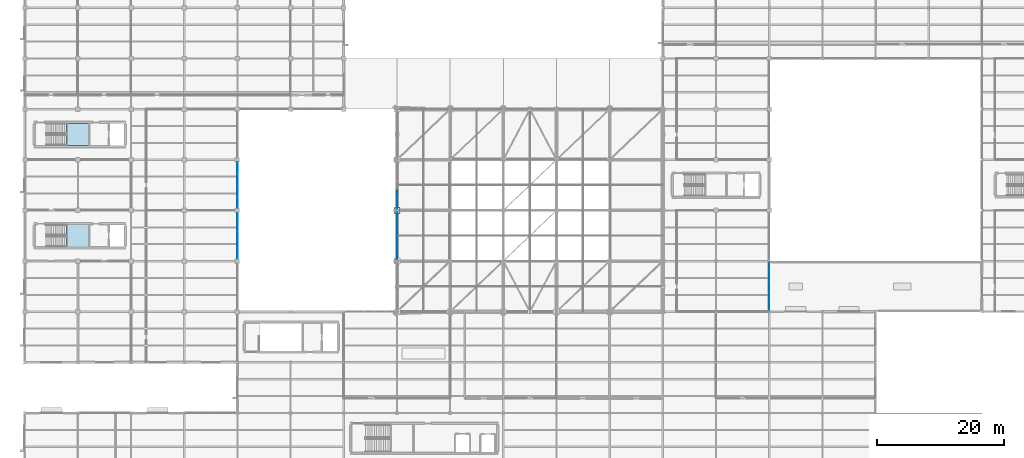
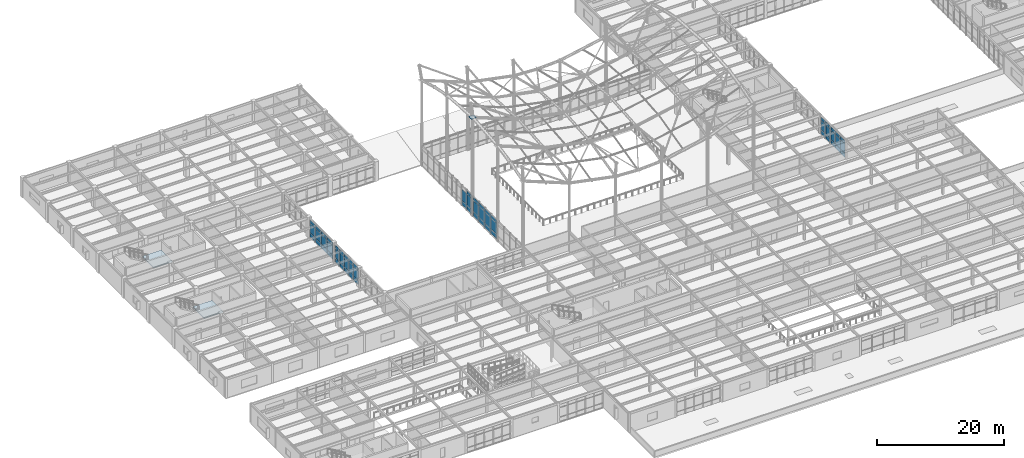
# One storey, part 60 of 138: 60 plates, 2 slabs, 7 elements without a shape of their own.
"""IFC4 building model written with IfcOpenShell, lengths in metres."""

from ifc_helpers import new_model, si_unit, direction, frame, origin, origin_2d, place, context, subcontext, project, spatial, polyline, rectangle, outline, extrude, material, layer, layer_set, type_object, element, aggregate, save


model = new_model("IFC4")

# Units and contexts
model_context = context("Model", 3, precision=1e-05, world=origin(), true_north=direction((0.0, 1.0)))
body_context = subcontext(model_context, "Body", "Model", "MODEL_VIEW")
ifc_project = project(units=[si_unit("LENGTHUNIT", "METRE"), si_unit("AREAUNIT", "SQUARE_METRE"), si_unit("VOLUMEUNIT", "CUBIC_METRE"), si_unit("PLANEANGLEUNIT", "RADIAN"), si_unit("MASSUNIT", "GRAM", prefix="KILO")], contexts=[model_context])

# Site, building, storey
site_placement = place(None, origin())
site = spatial("IfcSite", under=ifc_project, at=site_placement, CompositionType="ELEMENT")
building_placement = place(site_placement, origin())
building = spatial("IfcBuilding", under=site, at=building_placement, Name="Kranzveld Transit Interchange", CompositionType="ELEMENT")
storey_placement = place(building_placement, frame((0.0, 0.0, 5.43994140625)))
storey = spatial("IfcBuildingStorey", under=building, at=storey_placement, Name="L01", CompositionType="ELEMENT", Elevation=5.43994140625)

# Curtain wall, plates
ifc_material_1 = material(Name="Bronze-anodised thermally broken aluminium", Category="aluminium")
ifc_layer_1 = layer(ifc_material_1, 0.1650390625)
ifc_layer_set_1 = layer_set([ifc_layer_1], Name="Bronze-anodised thermally broken aluminium")
curtain_wall_type_1 = type_object("IfcCurtainWallType", Name="Sunny Court Arcade Curtain Wall CW-2", PredefinedType="USERDEFINED", material=ifc_layer_set_1)
curtain_wall_1_placement = place(storey_placement, origin())
curtain_wall_1 = element("IfcCurtainWall", 1, at=curtain_wall_1_placement, inside=storey, type_object=curtain_wall_type_1, Name="L01 Curtain Wall 08/K-08/L", ObjectType="CURTAIN WALL", PredefinedType="USERDEFINED")
ifc_material_2 = material(Name="Solar-control double glazing", Category="glass")
ifc_layer_2 = layer(ifc_material_2, 0.02392578125)
ifc_layer_set_2 = layer_set([ifc_layer_2], Name="Solar-control double glazing")
plate_type_1 = type_object("IfcPlateType", Name="Curtain Panel Clear Glazing 24", PredefinedType="CURTAIN_PANEL", material=ifc_layer_set_2)
plate_1_placement = place(storey_placement, frame((58.800048828125, 72.9990234375, 0.06005859375), z_axis=(0.0, 0.0, 1.0), x_axis=(0.0, 1.0, 0.0)))
plate_1 = element("IfcPlate", 2, at=plate_1_placement, type_object=plate_type_1, Name="CW-2 panel 1.1", PredefinedType="CURTAIN_PANEL", context=body_context, shape_type="SweptSolid", body=[
    extrude(rectangle(XDim=1.4111328125, YDim=0.02392578125, at=origin_2d()), origin(), (0.0, 0.0, 1.0), 0.81005859375),
])
plate_2_placement = place(storey_placement, frame((58.800048828125, 72.9990234375, 0.93017578125), z_axis=(0.0, 0.0, 1.0), x_axis=(0.0, 1.0, 0.0)))
plate_2 = element("IfcPlate", 3, at=plate_2_placement, type_object=plate_type_1, Name="CW-2 panel 1.2", PredefinedType="CURTAIN_PANEL", context=body_context, shape_type="SweptSolid", body=[
    extrude(rectangle(XDim=1.4111328125, YDim=0.02392578125, at=origin_2d()), origin(), (0.0, 0.0, 1.0), 2.139892578125),
])
plate_3_placement = place(storey_placement, frame((58.800048828125, 72.9990234375, 3.1298828125), z_axis=(0.0, 0.0, 1.0), x_axis=(0.0, 1.0, 0.0)))
plate_3 = element("IfcPlate", 4, at=plate_3_placement, type_object=plate_type_1, Name="CW-2 panel 1.3", PredefinedType="CURTAIN_PANEL", context=body_context, shape_type="SweptSolid", body=[
    extrude(rectangle(XDim=1.4111328125, YDim=0.02392578125, at=origin_2d()), origin(), (0.0, 0.0, 1.0), 0.610107421875),
])
plate_4_placement = place(storey_placement, frame((58.800048828125, 74.491455078125, 0.06005859375), z_axis=(0.0, 0.0, 1.0), x_axis=(0.0, 1.0, 0.0)))
plate_4 = element("IfcPlate", 5, at=plate_4_placement, type_object=plate_type_1, Name="CW-2 panel 2.1", PredefinedType="CURTAIN_PANEL", context=body_context, shape_type="SweptSolid", body=[
    extrude(rectangle(XDim=1.443603515625, YDim=0.02392578125, at=origin_2d()), origin(), (0.0, 0.0, 1.0), 0.81005859375),
])
plate_5_placement = place(storey_placement, frame((58.800048828125, 74.491455078125, 0.93017578125), z_axis=(0.0, 0.0, 1.0), x_axis=(0.0, 1.0, 0.0)))
plate_5 = element("IfcPlate", 6, at=plate_5_placement, type_object=plate_type_1, Name="CW-2 panel 2.2", PredefinedType="CURTAIN_PANEL", context=body_context, shape_type="SweptSolid", body=[
    extrude(rectangle(XDim=1.443603515625, YDim=0.02392578125, at=origin_2d()), origin(), (0.0, 0.0, 1.0), 2.139892578125),
])
aggregate(curtain_wall_1, [plate_1, plate_2, plate_3, plate_4, plate_5])

curtain_wall_2_placement = place(storey_placement, origin())
curtain_wall_2 = element("IfcCurtainWall", 7, at=curtain_wall_2_placement, inside=storey, type_object=curtain_wall_type_1, Name="L01 Curtain Wall 15/H-15/J", ObjectType="CURTAIN WALL", PredefinedType="USERDEFINED")
plate_6_placement = place(storey_placement, frame((117.60009765625, 56.94189453125, 0.06005859375), z_axis=(0.0, 0.0, 1.0), x_axis=(0.0, 1.0, 0.0)))
plate_6 = element("IfcPlate", 8, at=plate_6_placement, type_object=plate_type_1, Name="CW-2 panel 1.1", PredefinedType="CURTAIN_PANEL", context=body_context, shape_type="SweptSolid", body=[
    extrude(rectangle(XDim=1.432861328125, YDim=0.02392578125, at=origin_2d()), origin(), (0.0, 0.0, 1.0), 0.81005859375),
])
plate_7_placement = place(storey_placement, frame((117.60009765625, 56.94189453125, 0.93017578125), z_axis=(0.0, 0.0, 1.0), x_axis=(0.0, 1.0, 0.0)))
plate_7 = element("IfcPlate", 9, at=plate_7_placement, type_object=plate_type_1, Name="CW-2 panel 1.2", PredefinedType="CURTAIN_PANEL", context=body_context, shape_type="SweptSolid", body=[
    extrude(rectangle(XDim=1.432861328125, YDim=0.02392578125, at=origin_2d()), origin(), (0.0, 0.0, 1.0), 1.781982421875),
])
plate_8_placement = place(storey_placement, frame((117.60009765625, 56.94189453125, 2.77197265625), z_axis=(0.0, 0.0, 1.0), x_axis=(0.0, 1.0, 0.0)))
plate_8 = element("IfcPlate", 10, at=plate_8_placement, type_object=plate_type_1, Name="CW-2 panel 1.3", PredefinedType="CURTAIN_PANEL", context=body_context, shape_type="SweptSolid", body=[
    extrude(rectangle(XDim=1.432861328125, YDim=0.02392578125, at=origin_2d()), origin(), (0.0, 0.0, 1.0), 0.610107421875),
])
plate_9_placement = place(storey_placement, frame((117.60009765625, 58.4560546875, 0.06005859375), z_axis=(0.0, 0.0, 1.0), x_axis=(0.0, 1.0, 0.0)))
plate_9 = element("IfcPlate", 11, at=plate_9_placement, type_object=plate_type_1, Name="CW-2 panel 2.1", PredefinedType="CURTAIN_PANEL", context=body_context, shape_type="SweptSolid", body=[
    extrude(rectangle(XDim=1.465576171875, YDim=0.02392578125, at=origin_2d()), origin(), (0.0, 0.0, 1.0), 0.81005859375),
])
plate_10_placement = place(storey_placement, frame((117.60009765625, 58.4560546875, 0.93017578125), z_axis=(0.0, 0.0, 1.0), x_axis=(0.0, 1.0, 0.0)))
plate_10 = element("IfcPlate", 12, at=plate_10_placement, type_object=plate_type_1, Name="CW-2 panel 2.2", PredefinedType="CURTAIN_PANEL", context=body_context, shape_type="SweptSolid", body=[
    extrude(rectangle(XDim=1.465576171875, YDim=0.02392578125, at=origin_2d()), origin(), (0.0, 0.0, 1.0), 1.781982421875),
])
plate_11_placement = place(storey_placement, frame((117.60009765625, 58.4560546875, 2.77197265625), z_axis=(0.0, 0.0, 1.0), x_axis=(0.0, 1.0, 0.0)))
plate_11 = element("IfcPlate", 13, at=plate_11_placement, type_object=plate_type_1, Name="CW-2 panel 2.3", PredefinedType="CURTAIN_PANEL", context=body_context, shape_type="SweptSolid", body=[
    extrude(rectangle(XDim=1.465576171875, YDim=0.02392578125, at=origin_2d()), origin(), (0.0, 0.0, 1.0), 0.610107421875),
])
plate_12_placement = place(storey_placement, frame((117.60009765625, 59.986572265625, 0.06005859375), z_axis=(0.0, 0.0, 1.0), x_axis=(0.0, 1.0, 0.0)))
plate_12 = element("IfcPlate", 14, at=plate_12_placement, type_object=plate_type_1, Name="CW-2 panel 3.1", PredefinedType="CURTAIN_PANEL", context=body_context, shape_type="SweptSolid", body=[
    extrude(rectangle(XDim=1.465576171875, YDim=0.02392578125, at=origin_2d()), origin(), (0.0, 0.0, 1.0), 0.81005859375),
])
plate_13_placement = place(storey_placement, frame((117.60009765625, 59.986572265625, 0.93017578125), z_axis=(0.0, 0.0, 1.0), x_axis=(0.0, 1.0, 0.0)))
plate_13 = element("IfcPlate", 15, at=plate_13_placement, type_object=plate_type_1, Name="CW-2 panel 3.2", PredefinedType="CURTAIN_PANEL", context=body_context, shape_type="SweptSolid", body=[
    extrude(rectangle(XDim=1.465576171875, YDim=0.02392578125, at=origin_2d()), origin(), (0.0, 0.0, 1.0), 1.781982421875),
])
plate_14_placement = place(storey_placement, frame((117.60009765625, 59.986572265625, 2.77197265625), z_axis=(0.0, 0.0, 1.0), x_axis=(0.0, 1.0, 0.0)))
plate_14 = element("IfcPlate", 16, at=plate_14_placement, type_object=plate_type_1, Name="CW-2 panel 3.3", PredefinedType="CURTAIN_PANEL", context=body_context, shape_type="SweptSolid", body=[
    extrude(rectangle(XDim=1.465576171875, YDim=0.02392578125, at=origin_2d()), origin(), (0.0, 0.0, 1.0), 0.610107421875),
])
plate_15_placement = place(storey_placement, frame((117.60009765625, 61.51708984375, 0.06005859375), z_axis=(0.0, 0.0, 1.0), x_axis=(0.0, 1.0, 0.0)))
plate_15 = element("IfcPlate", 17, at=plate_15_placement, type_object=plate_type_1, Name="CW-2 panel 4.1", PredefinedType="CURTAIN_PANEL", context=body_context, shape_type="SweptSolid", body=[
    extrude(rectangle(XDim=1.465576171875, YDim=0.02392578125, at=origin_2d()), origin(), (0.0, 0.0, 1.0), 0.81005859375),
])
plate_16_placement = place(storey_placement, frame((117.60009765625, 61.51708984375, 0.93017578125), z_axis=(0.0, 0.0, 1.0), x_axis=(0.0, 1.0, 0.0)))
plate_16 = element("IfcPlate", 18, at=plate_16_placement, type_object=plate_type_1, Name="CW-2 panel 4.2", PredefinedType="CURTAIN_PANEL", context=body_context, shape_type="SweptSolid", body=[
    extrude(rectangle(XDim=1.465576171875, YDim=0.02392578125, at=origin_2d()), origin(), (0.0, 0.0, 1.0), 1.781982421875),
])
plate_17_placement = place(storey_placement, frame((117.60009765625, 61.51708984375, 2.77197265625), z_axis=(0.0, 0.0, 1.0), x_axis=(0.0, 1.0, 0.0)))
plate_17 = element("IfcPlate", 19, at=plate_17_placement, type_object=plate_type_1, Name="CW-2 panel 4.3", PredefinedType="CURTAIN_PANEL", context=body_context, shape_type="SweptSolid", body=[
    extrude(rectangle(XDim=1.465576171875, YDim=0.02392578125, at=origin_2d()), origin(), (0.0, 0.0, 1.0), 0.610107421875),
])
plate_18_placement = place(storey_placement, frame((117.60009765625, 63.03125, 0.06005859375), z_axis=(0.0, 0.0, 1.0), x_axis=(0.0, 1.0, 0.0)))
plate_18 = element("IfcPlate", 20, at=plate_18_placement, type_object=plate_type_1, Name="CW-2 panel 5.1", PredefinedType="CURTAIN_PANEL", context=body_context, shape_type="SweptSolid", body=[
    extrude(rectangle(XDim=1.432861328125, YDim=0.02392578125, at=origin_2d()), origin(), (0.0, 0.0, 1.0), 0.81005859375),
])
plate_19_placement = place(storey_placement, frame((117.60009765625, 63.03125, 0.93017578125), z_axis=(0.0, 0.0, 1.0), x_axis=(0.0, 1.0, 0.0)))
plate_19 = element("IfcPlate", 21, at=plate_19_placement, type_object=plate_type_1, Name="CW-2 panel 5.2", PredefinedType="CURTAIN_PANEL", context=body_context, shape_type="SweptSolid", body=[
    extrude(rectangle(XDim=1.432861328125, YDim=0.02392578125, at=origin_2d()), origin(), (0.0, 0.0, 1.0), 1.781982421875),
])
plate_20_placement = place(storey_placement, frame((117.60009765625, 63.03125, 2.77197265625), z_axis=(0.0, 0.0, 1.0), x_axis=(0.0, 1.0, 0.0)))
plate_20 = element("IfcPlate", 22, at=plate_20_placement, type_object=plate_type_1, Name="CW-2 panel 5.3", PredefinedType="CURTAIN_PANEL", context=body_context, shape_type="SweptSolid", body=[
    extrude(rectangle(XDim=1.432861328125, YDim=0.02392578125, at=origin_2d()), origin(), (0.0, 0.0, 1.0), 0.610107421875),
])
aggregate(curtain_wall_2, [plate_6, plate_7, plate_8, plate_9, plate_10, plate_11, plate_12, plate_13, plate_14, plate_15, plate_16, plate_17, plate_18, plate_19, plate_20])

ifc_material_3 = material(Name="Bronze-anodised thermally broken aluminium", Category="aluminium")
ifc_layer_3 = layer(ifc_material_3, 0.179931640625)
ifc_layer_set_3 = layer_set([ifc_layer_3], Name="Bronze-anodised thermally broken aluminium")
curtain_wall_type_2 = type_object("IfcCurtainWallType", Name="Concourse Unitised Curtain Wall CW-1", PredefinedType="USERDEFINED", material=ifc_layer_set_3)
curtain_wall_3_placement = place(storey_placement, origin())
curtain_wall_3 = element("IfcCurtainWall", 23, at=curtain_wall_3_placement, inside=storey, type_object=curtain_wall_type_2, Name="L01 Curtain Wall 08/J-08/K", ObjectType="CURTAIN WALL", PredefinedType="USERDEFINED")
ifc_material_4 = material(Name="Solar-control double glazing", Category="glass")
ifc_layer_4 = layer(ifc_material_4, 0.028076171875)
ifc_layer_set_4 = layer_set([ifc_layer_4], Name="Solar-control double glazing")
plate_type_2 = type_object("IfcPlateType", Name="Curtain Panel Double Glazing 28", PredefinedType="CURTAIN_PANEL", material=ifc_layer_set_4)
plate_21_placement = place(storey_placement, frame((58.800048828125, 65.187744140625, 0.06494140625), z_axis=(0.0, 0.0, 1.0), x_axis=(0.0, 1.0, 0.0)))
plate_21 = element("IfcPlate", 24, at=plate_21_placement, type_object=plate_type_2, Name="CW-1 panel 1.1", PredefinedType="CURTAIN_PANEL", context=body_context, shape_type="SweptSolid", body=[
    extrude(rectangle(XDim=1.788330078125, YDim=0.028076171875, at=origin_2d()), origin(), (0.0, 0.0, 1.0), 0.802490234375),
])
plate_22_placement = place(storey_placement, frame((58.800048828125, 65.187744140625, 0.9326171875), z_axis=(0.0, 0.0, 1.0), x_axis=(0.0, 1.0, 0.0)))
plate_22 = element("IfcPlate", 25, at=plate_22_placement, type_object=plate_type_2, Name="CW-1 panel 1.2", PredefinedType="CURTAIN_PANEL", context=body_context, shape_type="SweptSolid", body=[
    extrude(rectangle(XDim=1.788330078125, YDim=0.028076171875, at=origin_2d()), origin(), (0.0, 0.0, 1.0), 2.135009765625),
])
plate_23_placement = place(storey_placement, frame((58.800048828125, 65.187744140625, 3.132568359375), z_axis=(0.0, 0.0, 1.0), x_axis=(0.0, 1.0, 0.0)))
plate_23 = element("IfcPlate", 26, at=plate_23_placement, type_object=plate_type_2, Name="CW-1 panel 1.3", PredefinedType="CURTAIN_PANEL", context=body_context, shape_type="SweptSolid", body=[
    extrude(rectangle(XDim=1.788330078125, YDim=0.028076171875, at=origin_2d()), origin(), (0.0, 0.0, 1.0), 0.6025390625),
])
plate_24_placement = place(storey_placement, frame((58.800048828125, 67.05712890625, 0.06494140625), z_axis=(0.0, 0.0, 1.0), x_axis=(0.0, 1.0, 0.0)))
plate_24 = element("IfcPlate", 27, at=plate_24_placement, type_object=plate_type_2, Name="CW-1 panel 2.1", PredefinedType="CURTAIN_PANEL", context=body_context, shape_type="SweptSolid", body=[
    extrude(rectangle(XDim=1.82080078125, YDim=0.028076171875, at=origin_2d()), origin(), (0.0, 0.0, 1.0), 0.802490234375),
])
plate_25_placement = place(storey_placement, frame((58.800048828125, 67.05712890625, 0.9326171875), z_axis=(0.0, 0.0, 1.0), x_axis=(0.0, 1.0, 0.0)))
plate_25 = element("IfcPlate", 28, at=plate_25_placement, type_object=plate_type_2, Name="CW-1 panel 2.2", PredefinedType="CURTAIN_PANEL", context=body_context, shape_type="SweptSolid", body=[
    extrude(rectangle(XDim=1.82080078125, YDim=0.028076171875, at=origin_2d()), origin(), (0.0, 0.0, 1.0), 2.135009765625),
])
plate_26_placement = place(storey_placement, frame((58.800048828125, 67.05712890625, 3.132568359375), z_axis=(0.0, 0.0, 1.0), x_axis=(0.0, 1.0, 0.0)))
plate_26 = element("IfcPlate", 29, at=plate_26_placement, type_object=plate_type_2, Name="CW-1 panel 2.3", PredefinedType="CURTAIN_PANEL", context=body_context, shape_type="SweptSolid", body=[
    extrude(rectangle(XDim=1.82080078125, YDim=0.028076171875, at=origin_2d()), origin(), (0.0, 0.0, 1.0), 0.6025390625),
])
plate_27_placement = place(storey_placement, frame((58.800048828125, 68.94287109375, 0.06494140625), z_axis=(0.0, 0.0, 1.0), x_axis=(0.0, 1.0, 0.0)))
plate_27 = element("IfcPlate", 30, at=plate_27_placement, type_object=plate_type_2, Name="CW-1 panel 3.1", PredefinedType="CURTAIN_PANEL", context=body_context, shape_type="SweptSolid", body=[
    extrude(rectangle(XDim=1.82080078125, YDim=0.028076171875, at=origin_2d()), origin(), (0.0, 0.0, 1.0), 0.802490234375),
])
plate_28_placement = place(storey_placement, frame((58.800048828125, 68.94287109375, 0.9326171875), z_axis=(0.0, 0.0, 1.0), x_axis=(0.0, 1.0, 0.0)))
plate_28 = element("IfcPlate", 31, at=plate_28_placement, type_object=plate_type_2, Name="CW-1 panel 3.2", PredefinedType="CURTAIN_PANEL", context=body_context, shape_type="SweptSolid", body=[
    extrude(rectangle(XDim=1.82080078125, YDim=0.028076171875, at=origin_2d()), origin(), (0.0, 0.0, 1.0), 2.135009765625),
])
plate_29_placement = place(storey_placement, frame((58.800048828125, 68.94287109375, 3.132568359375), z_axis=(0.0, 0.0, 1.0), x_axis=(0.0, 1.0, 0.0)))
plate_29 = element("IfcPlate", 32, at=plate_29_placement, type_object=plate_type_2, Name="CW-1 panel 3.3", PredefinedType="CURTAIN_PANEL", context=body_context, shape_type="SweptSolid", body=[
    extrude(rectangle(XDim=1.82080078125, YDim=0.028076171875, at=origin_2d()), origin(), (0.0, 0.0, 1.0), 0.6025390625),
])
plate_30_placement = place(storey_placement, frame((58.800048828125, 70.812255859375, 0.06494140625), z_axis=(0.0, 0.0, 1.0), x_axis=(0.0, 1.0, 0.0)))
plate_30 = element("IfcPlate", 33, at=plate_30_placement, type_object=plate_type_2, Name="CW-1 panel 4.1", PredefinedType="CURTAIN_PANEL", context=body_context, shape_type="SweptSolid", body=[
    extrude(rectangle(XDim=1.788330078125, YDim=0.028076171875, at=origin_2d()), origin(), (0.0, 0.0, 1.0), 0.802490234375),
])
plate_31_placement = place(storey_placement, frame((58.800048828125, 70.812255859375, 0.9326171875), z_axis=(0.0, 0.0, 1.0), x_axis=(0.0, 1.0, 0.0)))
plate_31 = element("IfcPlate", 34, at=plate_31_placement, type_object=plate_type_2, Name="CW-1 panel 4.2", PredefinedType="CURTAIN_PANEL", context=body_context, shape_type="SweptSolid", body=[
    extrude(rectangle(XDim=1.788330078125, YDim=0.028076171875, at=origin_2d()), origin(), (0.0, 0.0, 1.0), 2.135009765625),
])
plate_32_placement = place(storey_placement, frame((58.800048828125, 70.812255859375, 3.132568359375), z_axis=(0.0, 0.0, 1.0), x_axis=(0.0, 1.0, 0.0)))
plate_32 = element("IfcPlate", 35, at=plate_32_placement, type_object=plate_type_2, Name="CW-1 panel 4.3", PredefinedType="CURTAIN_PANEL", context=body_context, shape_type="SweptSolid", body=[
    extrude(rectangle(XDim=1.788330078125, YDim=0.028076171875, at=origin_2d()), origin(), (0.0, 0.0, 1.0), 0.6025390625),
])
aggregate(curtain_wall_3, [plate_21, plate_22, plate_23, plate_24, plate_25, plate_26, plate_27, plate_28, plate_29, plate_30, plate_31, plate_32])

ifc_material_5 = material(Name="Bronze-anodised thermally broken aluminium", Category="aluminium")
ifc_layer_5 = layer(ifc_material_5, 0.14990234375)
ifc_layer_set_5 = layer_set([ifc_layer_5], Name="Bronze-anodised thermally broken aluminium")
curtain_wall_type_3 = type_object("IfcCurtainWallType", Name="Public Passage Clerestory Screen CW-4", PredefinedType="USERDEFINED", material=ifc_layer_set_5)
curtain_wall_4_placement = place(storey_placement, origin())
curtain_wall_4 = element("IfcCurtainWall", 36, at=curtain_wall_4_placement, inside=storey, type_object=curtain_wall_type_3, Name="L01 Curtain Wall 05/J-05/K", ObjectType="CURTAIN WALL", PredefinedType="USERDEFINED")
ifc_material_6 = material(Name="Solar-control double glazing", Category="glass")
ifc_layer_6 = layer(ifc_material_6, 0.0419921875)
ifc_layer_set_6 = layer_set([ifc_layer_6], Name="Solar-control double glazing")
plate_type_3 = type_object("IfcPlateType", Name="Curtain Panel Laminated Glazing 42", PredefinedType="CURTAIN_PANEL", material=ifc_layer_set_6)
plate_33_placement = place(storey_placement, frame((33.60009765625, 65.094970703125, 0.06005859375), z_axis=(0.0, 0.0, 1.0), x_axis=(0.0, 1.0, 0.0)))
plate_33 = element("IfcPlate", 37, at=plate_33_placement, type_object=plate_type_3, Name="CW-4 panel 1.1", PredefinedType="CURTAIN_PANEL", context=body_context, shape_type="SweptSolid", body=[
    extrude(rectangle(XDim=1.3701171875, YDim=0.0419921875, at=origin_2d()), origin(), (0.0, 0.0, 1.0), 0.81005859375),
])
plate_34_placement = place(storey_placement, frame((33.60009765625, 65.094970703125, 0.93017578125), z_axis=(0.0, 0.0, 1.0), x_axis=(0.0, 1.0, 0.0)))
plate_34 = element("IfcPlate", 38, at=plate_34_placement, type_object=plate_type_3, Name="CW-4 panel 1.2", PredefinedType="CURTAIN_PANEL", context=body_context, shape_type="SweptSolid", body=[
    extrude(rectangle(XDim=1.3701171875, YDim=0.0419921875, at=origin_2d()), origin(), (0.0, 0.0, 1.0), 1.781982421875),
])
plate_35_placement = place(storey_placement, frame((33.60009765625, 65.094970703125, 2.77197265625), z_axis=(0.0, 0.0, 1.0), x_axis=(0.0, 1.0, 0.0)))
plate_35 = element("IfcPlate", 39, at=plate_35_placement, type_object=plate_type_3, Name="CW-4 panel 1.3", PredefinedType="CURTAIN_PANEL", context=body_context, shape_type="SweptSolid", body=[
    extrude(rectangle(XDim=1.3701171875, YDim=0.0419921875, at=origin_2d()), origin(), (0.0, 0.0, 1.0), 0.610107421875),
])
plate_36_placement = place(storey_placement, frame((33.60009765625, 66.5400390625, 0.06005859375), z_axis=(0.0, 0.0, 1.0), x_axis=(0.0, 1.0, 0.0)))
plate_36 = element("IfcPlate", 40, at=plate_36_placement, type_object=plate_type_3, Name="CW-4 panel 2.1", PredefinedType="CURTAIN_PANEL", context=body_context, shape_type="SweptSolid", body=[
    extrude(rectangle(XDim=1.39990234375, YDim=0.0419921875, at=origin_2d()), origin(), (0.0, 0.0, 1.0), 0.81005859375),
])
plate_37_placement = place(storey_placement, frame((33.60009765625, 66.5400390625, 0.93017578125), z_axis=(0.0, 0.0, 1.0), x_axis=(0.0, 1.0, 0.0)))
plate_37 = element("IfcPlate", 41, at=plate_37_placement, type_object=plate_type_3, Name="CW-4 panel 2.2", PredefinedType="CURTAIN_PANEL", context=body_context, shape_type="SweptSolid", body=[
    extrude(rectangle(XDim=1.39990234375, YDim=0.0419921875, at=origin_2d()), origin(), (0.0, 0.0, 1.0), 1.781982421875),
])
plate_38_placement = place(storey_placement, frame((33.60009765625, 66.5400390625, 2.77197265625), z_axis=(0.0, 0.0, 1.0), x_axis=(0.0, 1.0, 0.0)))
plate_38 = element("IfcPlate", 42, at=plate_38_placement, type_object=plate_type_3, Name="CW-4 panel 2.3", PredefinedType="CURTAIN_PANEL", context=body_context, shape_type="SweptSolid", body=[
    extrude(rectangle(XDim=1.39990234375, YDim=0.0419921875, at=origin_2d()), origin(), (0.0, 0.0, 1.0), 0.610107421875),
])
plate_39_placement = place(storey_placement, frame((33.60009765625, 68.0, 0.06005859375), z_axis=(0.0, 0.0, 1.0), x_axis=(0.0, 1.0, 0.0)))
plate_39 = element("IfcPlate", 43, at=plate_39_placement, type_object=plate_type_3, Name="CW-4 panel 3.1", PredefinedType="CURTAIN_PANEL", context=body_context, shape_type="SweptSolid", body=[
    extrude(rectangle(XDim=1.39990234375, YDim=0.0419921875, at=origin_2d()), origin(), (0.0, 0.0, 1.0), 0.81005859375),
])
plate_40_placement = place(storey_placement, frame((33.60009765625, 68.0, 0.93017578125), z_axis=(0.0, 0.0, 1.0), x_axis=(0.0, 1.0, 0.0)))
plate_40 = element("IfcPlate", 44, at=plate_40_placement, type_object=plate_type_3, Name="CW-4 panel 3.2", PredefinedType="CURTAIN_PANEL", context=body_context, shape_type="SweptSolid", body=[
    extrude(rectangle(XDim=1.39990234375, YDim=0.0419921875, at=origin_2d()), origin(), (0.0, 0.0, 1.0), 1.781982421875),
])
plate_41_placement = place(storey_placement, frame((33.60009765625, 68.0, 2.77197265625), z_axis=(0.0, 0.0, 1.0), x_axis=(0.0, 1.0, 0.0)))
plate_41 = element("IfcPlate", 45, at=plate_41_placement, type_object=plate_type_3, Name="CW-4 panel 3.3", PredefinedType="CURTAIN_PANEL", context=body_context, shape_type="SweptSolid", body=[
    extrude(rectangle(XDim=1.39990234375, YDim=0.0419921875, at=origin_2d()), origin(), (0.0, 0.0, 1.0), 0.610107421875),
])
plate_42_placement = place(storey_placement, frame((33.60009765625, 69.4599609375, 0.06005859375), z_axis=(0.0, 0.0, 1.0), x_axis=(0.0, 1.0, 0.0)))
plate_42 = element("IfcPlate", 46, at=plate_42_placement, type_object=plate_type_3, Name="CW-4 panel 4.1", PredefinedType="CURTAIN_PANEL", context=body_context, shape_type="SweptSolid", body=[
    extrude(rectangle(XDim=1.39990234375, YDim=0.0419921875, at=origin_2d()), origin(), (0.0, 0.0, 1.0), 0.81005859375),
])
plate_43_placement = place(storey_placement, frame((33.60009765625, 69.4599609375, 0.93017578125), z_axis=(0.0, 0.0, 1.0), x_axis=(0.0, 1.0, 0.0)))
plate_43 = element("IfcPlate", 47, at=plate_43_placement, type_object=plate_type_3, Name="CW-4 panel 4.2", PredefinedType="CURTAIN_PANEL", context=body_context, shape_type="SweptSolid", body=[
    extrude(rectangle(XDim=1.39990234375, YDim=0.0419921875, at=origin_2d()), origin(), (0.0, 0.0, 1.0), 1.781982421875),
])
plate_44_placement = place(storey_placement, frame((33.60009765625, 69.4599609375, 2.77197265625), z_axis=(0.0, 0.0, 1.0), x_axis=(0.0, 1.0, 0.0)))
plate_44 = element("IfcPlate", 48, at=plate_44_placement, type_object=plate_type_3, Name="CW-4 panel 4.3", PredefinedType="CURTAIN_PANEL", context=body_context, shape_type="SweptSolid", body=[
    extrude(rectangle(XDim=1.39990234375, YDim=0.0419921875, at=origin_2d()), origin(), (0.0, 0.0, 1.0), 0.610107421875),
])
plate_45_placement = place(storey_placement, frame((33.60009765625, 70.905029296875, 0.06005859375), z_axis=(0.0, 0.0, 1.0), x_axis=(0.0, 1.0, 0.0)))
plate_45 = element("IfcPlate", 49, at=plate_45_placement, type_object=plate_type_3, Name="CW-4 panel 5.1", PredefinedType="CURTAIN_PANEL", context=body_context, shape_type="SweptSolid", body=[
    extrude(rectangle(XDim=1.3701171875, YDim=0.0419921875, at=origin_2d()), origin(), (0.0, 0.0, 1.0), 0.81005859375),
])
plate_46_placement = place(storey_placement, frame((33.60009765625, 70.905029296875, 0.93017578125), z_axis=(0.0, 0.0, 1.0), x_axis=(0.0, 1.0, 0.0)))
plate_46 = element("IfcPlate", 50, at=plate_46_placement, type_object=plate_type_3, Name="CW-4 panel 5.2", PredefinedType="CURTAIN_PANEL", context=body_context, shape_type="SweptSolid", body=[
    extrude(rectangle(XDim=1.3701171875, YDim=0.0419921875, at=origin_2d()), origin(), (0.0, 0.0, 1.0), 1.781982421875),
])
plate_47_placement = place(storey_placement, frame((33.60009765625, 70.905029296875, 2.77197265625), z_axis=(0.0, 0.0, 1.0), x_axis=(0.0, 1.0, 0.0)))
plate_47 = element("IfcPlate", 51, at=plate_47_placement, type_object=plate_type_3, Name="CW-4 panel 5.3", PredefinedType="CURTAIN_PANEL", context=body_context, shape_type="SweptSolid", body=[
    extrude(rectangle(XDim=1.3701171875, YDim=0.0419921875, at=origin_2d()), origin(), (0.0, 0.0, 1.0), 0.610107421875),
])
aggregate(curtain_wall_4, [plate_33, plate_34, plate_35, plate_36, plate_37, plate_38, plate_39, plate_40, plate_41, plate_42, plate_43, plate_44, plate_45, plate_46, plate_47])

ifc_material_7 = material(Name="Bronze-anodised thermally broken aluminium", Category="aluminium")
ifc_layer_7 = layer(ifc_material_7, 0.18505859375)
ifc_layer_set_7 = layer_set([ifc_layer_7], Name="Bronze-anodised thermally broken aluminium")
curtain_wall_type_4 = type_object("IfcCurtainWallType", Name="Control Crown Observation Facade CW-5", PredefinedType="USERDEFINED", material=ifc_layer_set_7)
curtain_wall_5_placement = place(storey_placement, origin())
curtain_wall_5 = element("IfcCurtainWall", 52, at=curtain_wall_5_placement, inside=storey, type_object=curtain_wall_type_4, Name="L01 Curtain Wall 05/K-05/L", ObjectType="CURTAIN WALL", PredefinedType="USERDEFINED")
ifc_material_8 = material(Name="Solar-control double glazing", Category="glass")
ifc_layer_8 = layer(ifc_material_8, 0.035888671875)
ifc_layer_set_8 = layer_set([ifc_layer_8], Name="Solar-control double glazing")
plate_type_4 = type_object("IfcPlateType", Name="Curtain Panel Triple Glazing 36", PredefinedType="CURTAIN_PANEL", material=ifc_layer_set_8)
plate_48_placement = place(storey_placement, frame((33.60009765625, 73.27880859375, 0.06494140625), z_axis=(0.0, 0.0, 1.0), x_axis=(0.0, 1.0, 0.0)))
plate_48 = element("IfcPlate", 53, at=plate_48_placement, type_object=plate_type_4, Name="CW-5 panel 1.1", PredefinedType="CURTAIN_PANEL", context=body_context, shape_type="SweptSolid", body=[
    extrude(rectangle(XDim=1.7275390625, YDim=0.035888671875, at=origin_2d()), origin(), (0.0, 0.0, 1.0), 0.802490234375),
])
plate_49_placement = place(storey_placement, frame((33.60009765625, 73.27880859375, 0.9326171875), z_axis=(0.0, 0.0, 1.0), x_axis=(0.0, 1.0, 0.0)))
plate_49 = element("IfcPlate", 54, at=plate_49_placement, type_object=plate_type_4, Name="CW-5 panel 1.2", PredefinedType="CURTAIN_PANEL", context=body_context, shape_type="SweptSolid", body=[
    extrude(rectangle(XDim=1.7275390625, YDim=0.035888671875, at=origin_2d()), origin(), (0.0, 0.0, 1.0), 1.777099609375),
])
plate_50_placement = place(storey_placement, frame((33.60009765625, 73.27880859375, 2.774658203125), z_axis=(0.0, 0.0, 1.0), x_axis=(0.0, 1.0, 0.0)))
plate_50 = element("IfcPlate", 55, at=plate_50_placement, type_object=plate_type_4, Name="CW-5 panel 1.3", PredefinedType="CURTAIN_PANEL", context=body_context, shape_type="SweptSolid", body=[
    extrude(rectangle(XDim=1.7275390625, YDim=0.035888671875, at=origin_2d()), origin(), (0.0, 0.0, 1.0), 0.6025390625),
])
plate_51_placement = place(storey_placement, frame((33.60009765625, 75.08740234375, 0.06494140625), z_axis=(0.0, 0.0, 1.0), x_axis=(0.0, 1.0, 0.0)))
plate_51 = element("IfcPlate", 56, at=plate_51_placement, type_object=plate_type_4, Name="CW-5 panel 2.1", PredefinedType="CURTAIN_PANEL", context=body_context, shape_type="SweptSolid", body=[
    extrude(rectangle(XDim=1.760009765625, YDim=0.035888671875, at=origin_2d()), origin(), (0.0, 0.0, 1.0), 0.802490234375),
])
plate_52_placement = place(storey_placement, frame((33.60009765625, 75.08740234375, 0.9326171875), z_axis=(0.0, 0.0, 1.0), x_axis=(0.0, 1.0, 0.0)))
plate_52 = element("IfcPlate", 57, at=plate_52_placement, type_object=plate_type_4, Name="CW-5 panel 2.2", PredefinedType="CURTAIN_PANEL", context=body_context, shape_type="SweptSolid", body=[
    extrude(rectangle(XDim=1.760009765625, YDim=0.035888671875, at=origin_2d()), origin(), (0.0, 0.0, 1.0), 1.777099609375),
])
plate_53_placement = place(storey_placement, frame((33.60009765625, 75.08740234375, 2.774658203125), z_axis=(0.0, 0.0, 1.0), x_axis=(0.0, 1.0, 0.0)))
plate_53 = element("IfcPlate", 58, at=plate_53_placement, type_object=plate_type_4, Name="CW-5 panel 2.3", PredefinedType="CURTAIN_PANEL", context=body_context, shape_type="SweptSolid", body=[
    extrude(rectangle(XDim=1.760009765625, YDim=0.035888671875, at=origin_2d()), origin(), (0.0, 0.0, 1.0), 0.6025390625),
])
plate_54_placement = place(storey_placement, frame((33.60009765625, 76.91259765625, 0.06494140625), z_axis=(0.0, 0.0, 1.0), x_axis=(0.0, 1.0, 0.0)))
plate_54 = element("IfcPlate", 59, at=plate_54_placement, type_object=plate_type_4, Name="CW-5 panel 3.1", PredefinedType="CURTAIN_PANEL", context=body_context, shape_type="SweptSolid", body=[
    extrude(rectangle(XDim=1.760009765625, YDim=0.035888671875, at=origin_2d()), origin(), (0.0, 0.0, 1.0), 0.802490234375),
])
plate_55_placement = place(storey_placement, frame((33.60009765625, 76.91259765625, 0.9326171875), z_axis=(0.0, 0.0, 1.0), x_axis=(0.0, 1.0, 0.0)))
plate_55 = element("IfcPlate", 60, at=plate_55_placement, type_object=plate_type_4, Name="CW-5 panel 3.2", PredefinedType="CURTAIN_PANEL", context=body_context, shape_type="SweptSolid", body=[
    extrude(rectangle(XDim=1.760009765625, YDim=0.035888671875, at=origin_2d()), origin(), (0.0, 0.0, 1.0), 1.777099609375),
])
plate_56_placement = place(storey_placement, frame((33.60009765625, 76.91259765625, 2.774658203125), z_axis=(0.0, 0.0, 1.0), x_axis=(0.0, 1.0, 0.0)))
plate_56 = element("IfcPlate", 61, at=plate_56_placement, type_object=plate_type_4, Name="CW-5 panel 3.3", PredefinedType="CURTAIN_PANEL", context=body_context, shape_type="SweptSolid", body=[
    extrude(rectangle(XDim=1.760009765625, YDim=0.035888671875, at=origin_2d()), origin(), (0.0, 0.0, 1.0), 0.6025390625),
])
plate_57_placement = place(storey_placement, frame((33.60009765625, 78.72119140625, 0.06494140625), z_axis=(0.0, 0.0, 1.0), x_axis=(0.0, 1.0, 0.0)))
plate_57 = element("IfcPlate", 62, at=plate_57_placement, type_object=plate_type_4, Name="CW-5 panel 4.1", PredefinedType="CURTAIN_PANEL", context=body_context, shape_type="SweptSolid", body=[
    extrude(rectangle(XDim=1.7275390625, YDim=0.035888671875, at=origin_2d()), origin(), (0.0, 0.0, 1.0), 0.802490234375),
])
plate_58_placement = place(storey_placement, frame((33.60009765625, 78.72119140625, 0.9326171875), z_axis=(0.0, 0.0, 1.0), x_axis=(0.0, 1.0, 0.0)))
plate_58 = element("IfcPlate", 63, at=plate_58_placement, type_object=plate_type_4, Name="CW-5 panel 4.2", PredefinedType="CURTAIN_PANEL", context=body_context, shape_type="SweptSolid", body=[
    extrude(rectangle(XDim=1.7275390625, YDim=0.035888671875, at=origin_2d()), origin(), (0.0, 0.0, 1.0), 1.777099609375),
])
plate_59_placement = place(storey_placement, frame((33.60009765625, 78.72119140625, 2.774658203125), z_axis=(0.0, 0.0, 1.0), x_axis=(0.0, 1.0, 0.0)))
plate_59 = element("IfcPlate", 64, at=plate_59_placement, type_object=plate_type_4, Name="CW-5 panel 4.3", PredefinedType="CURTAIN_PANEL", context=body_context, shape_type="SweptSolid", body=[
    extrude(rectangle(XDim=1.7275390625, YDim=0.035888671875, at=origin_2d()), origin(), (0.0, 0.0, 1.0), 0.6025390625),
])
aggregate(curtain_wall_5, [plate_48, plate_49, plate_50, plate_51, plate_52, plate_53, plate_54, plate_55, plate_56, plate_57, plate_58, plate_59])

# Plate
ifc_material_9 = material(Name="Steel S355JR", Category="steel")
ifc_layer_9 = layer(ifc_material_9, 0.050048828125)
ifc_layer_set_9 = layer_set([ifc_layer_9], Name="Steel S355JR")
plate_type_5 = type_object("IfcPlateType", Name="Mast Base Plate 900x900x50 S355JR", PredefinedType="SHEET", material=ifc_layer_set_9)
plate_60_placement = place(storey_placement, frame((58.800048828125, 72.0, 18.8798828125), z_axis=(0.0, 0.0, 1.0), x_axis=(1.0, 0.0, 0.0)))
element("IfcPlate", 65, at=plate_60_placement, inside=storey, type_object=plate_type_5, Name="Saddle Mast Base Plate M03 (08/K)", PredefinedType="SHEET", context=body_context, shape_type="SweptSolid", body=[
    extrude(rectangle(XDim=0.89990234375, YDim=0.89990234375, at=origin_2d()), origin(), (0.0, 0.0, 1.0), 0.050048828125),
])

# Stair, slab
ifc_material_10 = material(Name="Concrete C35/45", Category="concrete")
stair_type = type_object("IfcStairType", Name="Dogleg Stair 1650W H4080 C35/45", PredefinedType="HALF_TURN_STAIR", material=ifc_material_10)
stair_1_placement = place(storey_placement, origin())
stair_1 = element("IfcStair", 66, at=stair_1_placement, inside=storey, type_object=stair_type, Name="L01 Operations Core C1", PredefinedType="HALF_TURN_STAIR")
ifc_material_11 = material(Name="Concrete C35/45", Category="concrete")
ifc_layer_10 = layer(ifc_material_11, 0.199951171875)
ifc_layer_set_10 = layer_set([ifc_layer_10], Name="Concrete C35/45")
slab_type = type_object("IfcSlabType", Name="Stair & Ramp Landing 200 C35/45", PredefinedType="LANDING", material=ifc_layer_set_10)
slab_1_placement = place(storey_placement, frame((0.0, 0.0, 1.840087890625)))
slab_1 = element("IfcSlab", 67, at=slab_1_placement, type_object=slab_type, Name="ST-C1 landing 1", PredefinedType="LANDING", context=body_context, shape_type="SweptSolid", body=[
    extrude(outline(polyline([(6.590087890625, 66.235107421875), (10.050048828125, 66.235107421875), (10.050048828125, 69.764892578125), (6.590087890625, 69.764892578125), (6.590087890625, 66.235107421875)])), origin(), (0.0, 0.0, 1.0), 0.199951171875),
])
aggregate(stair_1, [slab_1])

stair_2_placement = place(storey_placement, origin())
stair_2 = element("IfcStair", 68, at=stair_2_placement, inside=storey, type_object=stair_type, Name="L01 Operations Core C2", PredefinedType="HALF_TURN_STAIR")
slab_2_placement = place(storey_placement, frame((0.0, 0.0, 1.840087890625)))
slab_2 = element("IfcSlab", 69, at=slab_2_placement, type_object=slab_type, Name="ST-C2 landing 1", PredefinedType="LANDING", context=body_context, shape_type="SweptSolid", body=[
    extrude(outline(polyline([(6.590087890625, 82.235107421875), (10.050048828125, 82.235107421875), (10.050048828125, 85.764892578125), (6.590087890625, 85.764892578125), (6.590087890625, 82.235107421875)])), origin(), (0.0, 0.0, 1.0), 0.199951171875),
])
aggregate(stair_2, [slab_2])

save(model, "model.ifc")
